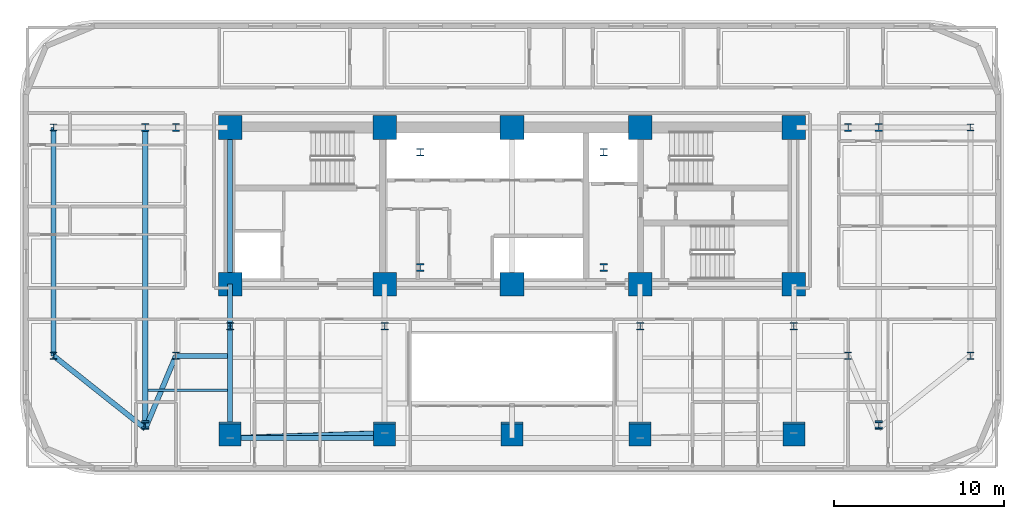
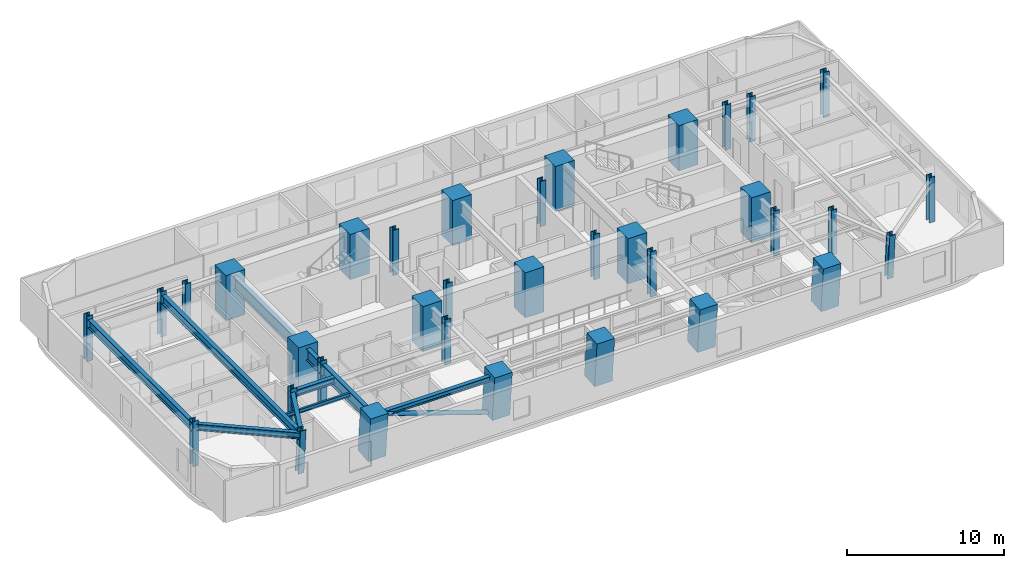
# One storey, part 1 of 16: 35 columns, 10 beams, 1 member.
"""IFC4 building model written with IfcOpenShell, lengths in metres."""

from ifc_helpers import new_model, si_unit, direction, frame, origin, origin_2d, place, context, subcontext, project, spatial, rectangle, hollow_circle, i_section, extrude, material, material_profile, profile_set, type_object, element, save


model = new_model("IFC4")

# Units and contexts
model_context = context("Model", 3, precision=1e-05, world=origin(), true_north=direction((0.0, 1.0)))
body_context = subcontext(model_context, "Body", "Model", "MODEL_VIEW")
ifc_project = project(units=[si_unit("LENGTHUNIT", "METRE"), si_unit("AREAUNIT", "SQUARE_METRE"), si_unit("VOLUMEUNIT", "CUBIC_METRE"), si_unit("PLANEANGLEUNIT", "RADIAN"), si_unit("MASSUNIT", "GRAM", prefix="KILO")], contexts=[model_context])

# Site, building, storey
site_placement = place(None, origin())
site = spatial("IfcSite", under=ifc_project, at=site_placement, CompositionType="ELEMENT")
building_placement = place(site_placement, origin())
building = spatial("IfcBuilding", under=site, at=building_placement, Name="Zarnavel Station Tower", CompositionType="ELEMENT")
storey_placement = place(building_placement, frame((0.0, 0.0, 79.300048828125)))
storey = spatial("IfcBuildingStorey", under=building, at=storey_placement, Name="L21", CompositionType="ELEMENT", Elevation=79.300048828125)

# Columns
ifc_material_1 = material(Name="Steel S460M", Category="steel")
ifc_material_profile_1 = material_profile(ifc_material_1, i_section(OverallWidth=0.41796875, OverallDepth=0.431884765625, WebThickness=0.034912109375, FlangeThickness=0.055908203125, FilletRadius=0.014892578125, at=origin_2d()), Name="HD400x421")
ifc_profile_set_1 = profile_set([ifc_material_profile_1], Name="Steel S460M")
column_type_1 = type_object("IfcColumnType", Name="EC_HD421", PredefinedType="COLUMN", material=ifc_profile_set_1)
for number, where, z_axis, x_axis, name in (
    (1, (1.800048828125, 23.60009765625, 0.0), (0.0, 0.0, 1.0), (1.0, 0.0, 0.0), "L21 Outer Wing South Column 1"),
    (2, (1.800048828125, 37.050048828125, 0.0), (0.0, 0.0, 1.0), (1.0, 0.0, 0.0), "L21 Outer Wing North Column 1"),
):
    element("IfcColumn", number, at=place(storey_placement, frame(where, z_axis=z_axis, x_axis=x_axis)), inside=storey, type_object=column_type_1, Name=name, PredefinedType="COLUMN", context=body_context, shape_type="SweptSolid", body=[
        extrude(i_section(OverallWidth=0.41796875, OverallDepth=0.431884765625, WebThickness=0.034912109375, FlangeThickness=0.055908203125, FilletRadius=0.014892578125, at=origin_2d()), origin(), (0.0, 0.0, 1.0), 3.5),
    ])
for number, where, z_axis, x_axis, name in (
    (3, (7.199951171875, 19.568603515625, 0.0), (0.0, -0.079891690793, 0.996803550226), (1.0, 0.0, 0.0), "L21 Raked Wing Column 2"),
    (4, (50.39990234375, 19.568603515625, 0.0), (0.0, -0.079891690793, 0.996803550226), (1.0, 0.0, 0.0), "L21 Raked Wing Column 3"),
):
    element("IfcColumn", number, at=place(storey_placement, frame(where, z_axis=z_axis, x_axis=x_axis)), inside=storey, type_object=column_type_1, Name=name, PredefinedType="COLUMN", context=body_context, shape_type="SweptSolid", body=[
        extrude(i_section(OverallWidth=0.41796875, OverallDepth=0.431884765625, WebThickness=0.034912109375, FlangeThickness=0.055908203125, FilletRadius=0.014892578125, at=origin_2d()), origin(), (0.0, 0.0, 1.0), 3.51123046875),
    ])
for number, where, z_axis, x_axis, name in (
    (5, (55.800048828125, 23.60009765625, 0.0), (0.0, 0.0, 1.0), (1.0, 0.0, 0.0), "L21 Outer Wing South Column 4"),
    (6, (55.800048828125, 37.050048828125, 0.0), (0.0, 0.0, 1.0), (1.0, 0.0, 0.0), "L21 Outer Wing North Column 4"),
):
    element("IfcColumn", number, at=place(storey_placement, frame(where, z_axis=z_axis, x_axis=x_axis)), inside=storey, type_object=column_type_1, Name=name, PredefinedType="COLUMN", context=body_context, shape_type="SweptSolid", body=[
        extrude(i_section(OverallWidth=0.41796875, OverallDepth=0.431884765625, WebThickness=0.034912109375, FlangeThickness=0.055908203125, FilletRadius=0.014892578125, at=origin_2d()), origin(), (0.0, 0.0, 1.0), 3.5),
    ])
ifc_material_2 = material(Name="Steel S460M", Category="steel")
ifc_material_profile_2 = material_profile(ifc_material_2, i_section(OverallWidth=0.424072265625, OverallDepth=0.449951171875, WebThickness=0.041015625, FlangeThickness=0.06494140625, FilletRadius=0.014892578125, at=origin_2d()), Name="HD400x509")
ifc_profile_set_2 = profile_set([ifc_material_profile_2], Name="Steel S460M")
column_type_2 = type_object("IfcColumnType", Name="IC_HD509", PredefinedType="COLUMN", material=ifc_profile_set_2)
for number, where, z_axis, x_axis, name in (
    (7, (23.39990234375, 28.800048828125, 0.0), (0.0, 0.0, 1.0), (1.0, 0.0, 0.0), "L21 Mast Spine Column 1"),
    (8, (34.199951171875, 28.800048828125, 0.0), (0.0, 0.0, 1.0), (1.0, 0.0, 0.0), "L21 Mast Spine Column 2"),
    (9, (34.199951171875, 35.60009765625, 0.0), (0.0, 0.0, 1.0), (1.0, 0.0, 0.0), "L21 Mast Spine Column 3"),
    (10, (23.39990234375, 35.60009765625, 0.0), (0.0, 0.0, 1.0), (1.0, 0.0, 0.0), "L21 Mast Spine Column 4"),
    (11, (12.199951171875, 25.35009765625, 0.0), (0.0, 0.0, 1.0), (1.0, 0.0, 0.0), "L21 Inner Spine Column 1"),
    (12, (21.300048828125, 25.35009765625, 0.0), (0.0, 0.0, 1.0), (1.0, 0.0, 0.0), "L21 Inner Spine Column 2"),
    (13, (36.35009765625, 25.35009765625, 0.0), (0.0, 0.0, 1.0), (1.0, 0.0, 0.0), "L21 Inner Spine Column 4"),
    (14, (45.39990234375, 25.35009765625, 0.0), (0.0, 0.0, 1.0), (1.0, 0.0, 0.0), "L21 Inner Spine Column 5"),
    (15, (9.0, 23.60009765625, 0.0), (0.0, 0.0, 1.0), (1.0, 0.0, 0.0), "L21 Inner Wing Spine Column 1-1"),
    (16, (9.0, 37.050048828125, 0.0), (0.0, 0.0, 1.0), (1.0, 0.0, 0.0), "L21 Inner Wing Spine Column 1-2"),
    (17, (48.60009765625, 23.60009765625, 0.0), (0.0, 0.0, 1.0), (1.0, 0.0, 0.0), "L21 Inner Wing Spine Column 2-1"),
    (18, (48.60009765625, 37.050048828125, 0.0), (0.0, 0.0, 1.0), (1.0, 0.0, 0.0), "L21 Inner Wing Spine Column 2-2"),
    (19, (7.199951171875, 37.050048828125, 0.0), (0.0, 0.0, 1.0), (1.0, 0.0, 0.0), "L21 Outer Wing North Column 2"),
    (20, (50.39990234375, 37.050048828125, 0.0), (0.0, 0.0, 1.0), (1.0, 0.0, 0.0), "L21 Outer Wing North Column 3"),
):
    element("IfcColumn", number, at=place(storey_placement, frame(where, z_axis=z_axis, x_axis=x_axis)), inside=storey, type_object=column_type_2, Name=name, PredefinedType="COLUMN", context=body_context, shape_type="SweptSolid", body=[
        extrude(i_section(OverallWidth=0.424072265625, OverallDepth=0.449951171875, WebThickness=0.041015625, FlangeThickness=0.06494140625, FilletRadius=0.014892578125, at=origin_2d()), origin(), (0.0, 0.0, 1.0), 3.5),
    ])
ifc_material_3 = material(Name="Concrete C60/75", Category="concrete")
ifc_material_profile_3 = material_profile(ifc_material_3, rectangle(XDim=1.39990234375, YDim=1.39990234375, at=origin_2d()), Name="RC1400x1400")
ifc_profile_set_3 = profile_set([ifc_material_profile_3], Name="Concrete C60/75")
column_type_3 = type_object("IfcColumnType", Name="IC_RC1400", PredefinedType="COLUMN", material=ifc_profile_set_3)
for number, where, z_axis, x_axis, name in (
    (21, (12.199951171875, 27.820068359375, 0.0), (0.0, 0.0, 1.0), (1.0, 0.0, 0.0), "L21 Core Spine Column 1-1"),
    (22, (12.199951171875, 37.050048828125, 0.0), (0.0, 0.0, 1.0), (1.0, 0.0, 0.0), "L21 Core Spine Column 1-2"),
    (23, (21.300048828125, 27.820068359375, 0.0), (0.0, 0.0, 1.0), (1.0, 0.0, 0.0), "L21 Core Spine Column 2-1"),
    (24, (21.300048828125, 37.050048828125, 0.0), (0.0, 0.0, 1.0), (1.0, 0.0, 0.0), "L21 Core Spine Column 2-2"),
    (25, (28.800048828125, 27.820068359375, 0.0), (0.0, 0.0, 1.0), (1.0, 0.0, 0.0), "L21 Core Spine Column 3-1"),
    (26, (28.800048828125, 37.050048828125, 0.0), (0.0, 0.0, 1.0), (1.0, 0.0, 0.0), "L21 Core Spine Column 3-2"),
    (27, (36.35009765625, 27.820068359375, 0.0), (0.0, 0.0, 1.0), (1.0, 0.0, 0.0), "L21 Core Spine Column 4-1"),
    (28, (36.35009765625, 37.050048828125, 0.0), (0.0, 0.0, 1.0), (1.0, 0.0, 0.0), "L21 Core Spine Column 4-2"),
    (29, (45.39990234375, 27.820068359375, 0.0), (0.0, 0.0, 1.0), (1.0, 0.0, 0.0), "L21 Core Spine Column 5-1"),
    (30, (45.39990234375, 37.050048828125, 0.0), (0.0, 0.0, 1.0), (1.0, 0.0, 0.0), "L21 Core Spine Column 5-2"),
):
    element("IfcColumn", number, at=place(storey_placement, frame(where, z_axis=z_axis, x_axis=x_axis)), inside=storey, type_object=column_type_3, Name=name, PredefinedType="COLUMN", context=body_context, shape_type="SweptSolid", body=[
        extrude(rectangle(XDim=1.39990234375, YDim=1.39990234375, at=origin_2d()), origin(), (0.0, 0.0, 1.0), 3.5),
    ])
ifc_material_4 = material(Name="Concrete C60/75", Category="concrete")
ifc_material_profile_4 = material_profile(ifc_material_4, rectangle(XDim=1.300048828125, YDim=1.300048828125, at=origin_2d()), Name="RC1300x1300")
ifc_profile_set_4 = profile_set([ifc_material_profile_4], Name="Concrete C60/75")
column_type_4 = type_object("IfcColumnType", Name="MC_RC1300", PredefinedType="COLUMN", material=ifc_profile_set_4)
for number, where, z_axis, x_axis, name in (
    (31, (12.199951171875, 19.041748046875, 0.0), (0.0, -0.090241349316, 0.995919925935), (1.0, 0.0, 0.0), "L21 Raked South Mega-Column 1"),
    (32, (21.300048828125, 19.041748046875, 0.0), (0.0, -0.090241349316, 0.995919925935), (1.0, 0.0, 0.0), "L21 Raked South Mega-Column 2"),
    (33, (28.800048828125, 19.041748046875, 0.0), (0.0, -0.090241349316, 0.995919925935), (1.0, 0.0, 0.0), "L21 Raked South Mega-Column 3"),
    (34, (36.35009765625, 19.041748046875, 0.0), (0.0, -0.090241349316, 0.995919925935), (1.0, 0.0, 0.0), "L21 Raked South Mega-Column 4"),
    (35, (45.39990234375, 19.041748046875, 0.0), (0.0, -0.090241349316, 0.995919925935), (1.0, 0.0, 0.0), "L21 Raked South Mega-Column 5"),
):
    element("IfcColumn", number, at=place(storey_placement, frame(where, z_axis=z_axis, x_axis=x_axis)), inside=storey, type_object=column_type_4, Name=name, PredefinedType="COLUMN", context=body_context, shape_type="SweptSolid", body=[
        extrude(rectangle(XDim=1.300048828125, YDim=1.300048828125, at=origin_2d()), origin(), (0.0, 0.0, 1.0), 3.514404296875),
    ])

# Member
ifc_material_5 = material(Name="Steel S355J2", Category="steel")
ifc_material_profile_5 = material_profile(ifc_material_5, hollow_circle(Radius=0.161865234375, WallThickness=0.012451171875, at=origin_2d()), Name="CHS323.9x12.5")
ifc_profile_set_5 = profile_set([ifc_material_profile_5], Name="Steel S355J2")
member_type = type_object("IfcMemberType", Name="DB_EXT_CHS324", PredefinedType="BRACE", material=ifc_profile_set_5)
member_placement = place(storey_placement, frame((21.300048828125, 19.041748046875, 0.0), z_axis=(-0.941636397979, -0.030365588624, 0.335259339958), x_axis=(0.032230925026, -0.999480448769, 0.0)))
element("IfcMember", 36, at=member_placement, inside=storey, type_object=member_type, Name="L21 Persian Exterior Diagonal Frame Brace 1", PredefinedType="BRACE", context=body_context, shape_type="SweptSolid", body=[
    extrude(hollow_circle(Radius=0.161865234375, WallThickness=0.012451171875, at=origin_2d()), origin(), (0.0, 0.0, 1.0), 9.6640625),
])

# Beams
ifc_material_6 = material(Name="Steel S355J2", Category="steel")
ifc_material_profile_6 = material_profile(ifc_material_6, i_section(OverallWidth=0.300048828125, OverallDepth=0.39990234375, WebThickness=0.013427734375, FlangeThickness=0.02392578125, FilletRadius=0.027099609375, at=origin_2d()), Name="HEB400")
ifc_profile_set_6 = profile_set([ifc_material_profile_6], Name="Steel S355J2")
beam_type_1 = type_object("IfcBeamType", Name="EB_HEB400", PredefinedType="SPANDREL", material=ifc_profile_set_6)
beam_1_placement = place(storey_placement, frame((12.199951171875, 18.748291015625, 3.0400390625), z_axis=(1.0, 0.0, 0.0), x_axis=(0.0, 1.0, 0.0)))
element("IfcBeam", 37, at=beam_1_placement, inside=storey, type_object=beam_type_1, Name="L21 South Raked Spandrel 1", PredefinedType="SPANDREL", context=body_context, shape_type="SweptSolid", body=[
    extrude(i_section(OverallWidth=0.300048828125, OverallDepth=0.39990234375, WebThickness=0.013427734375, FlangeThickness=0.02392578125, FilletRadius=0.027099609375, at=origin_2d()), origin(), (0.0, 0.0, 1.0), 9.10009765625),
])
ifc_material_7 = material(Name="Steel S355J2", Category="steel")
ifc_material_profile_7 = material_profile(ifc_material_7, i_section(OverallWidth=0.300048828125, OverallDepth=0.5, WebThickness=0.014404296875, FlangeThickness=0.028076171875, FilletRadius=0.027099609375, at=origin_2d()), Name="HEB500")
ifc_profile_set_7 = profile_set([ifc_material_profile_7], Name="Steel S355J2")
beam_type_2 = type_object("IfcBeamType", Name="FG_HEB500", PredefinedType="USERDEFINED", material=ifc_profile_set_7)
beam_2_placement = place(storey_placement, frame((1.800048828125, 23.60009765625, 2.989990234375), z_axis=(0.782891774764, -0.622157913239, 0.0), x_axis=(0.622157913239, 0.782891774764, 0.0)))
element("IfcBeam", 38, at=beam_2_placement, inside=storey, type_object=beam_type_2, Name="L21 West Wing South Tie 1", ObjectType="GIRDER", PredefinedType="USERDEFINED", context=body_context, shape_type="SweptSolid", body=[
    extrude(i_section(OverallWidth=0.300048828125, OverallDepth=0.5, WebThickness=0.014404296875, FlangeThickness=0.028076171875, FilletRadius=0.027099609375, at=origin_2d()), origin(), (0.0, 0.0, 1.0), 6.8974609375),
])
beam_3_placement = place(storey_placement, frame((7.199951171875, 19.308837890625, 2.989990234375), z_axis=(0.3868159094, 0.922156956399, 0.0), x_axis=(-0.922156956399, 0.3868159094, 0.0)))
element("IfcBeam", 39, at=beam_3_placement, inside=storey, type_object=beam_type_2, Name="L21 West Wing South Tie 2", ObjectType="GIRDER", PredefinedType="USERDEFINED", context=body_context, shape_type="SweptSolid", body=[
    extrude(i_section(OverallWidth=0.300048828125, OverallDepth=0.5, WebThickness=0.014404296875, FlangeThickness=0.028076171875, FilletRadius=0.027099609375, at=origin_2d()), origin(), (0.0, 0.0, 1.0), 4.653564453125),
])
beam_4_placement = place(storey_placement, frame((9.0, 23.60009765625, 2.989990234375), z_axis=(1.0, 0.0, 0.0), x_axis=(0.0, 1.0, 0.0)))
element("IfcBeam", 40, at=beam_4_placement, inside=storey, type_object=beam_type_2, Name="L21 West Wing South Tie 3", ObjectType="GIRDER", PredefinedType="USERDEFINED", context=body_context, shape_type="SweptSolid", body=[
    extrude(i_section(OverallWidth=0.300048828125, OverallDepth=0.5, WebThickness=0.014404296875, FlangeThickness=0.028076171875, FilletRadius=0.027099609375, at=origin_2d()), origin(), (0.0, 0.0, 1.0), 3.054931640625),
])
ifc_material_8 = material(Name="Steel S355J2", Category="steel")
ifc_material_profile_8 = material_profile(ifc_material_8, i_section(OverallWidth=0.300048828125, OverallDepth=0.64990234375, WebThickness=0.01611328125, FlangeThickness=0.031005859375, FilletRadius=0.027099609375, at=origin_2d()), Name="HEB650")
ifc_profile_set_8 = profile_set([ifc_material_profile_8], Name="Steel S355J2")
beam_type_3 = type_object("IfcBeamType", Name="FG_HEB650", PredefinedType="USERDEFINED", material=ifc_profile_set_8)
beam_5_placement = place(storey_placement, frame((1.800048828125, 23.60009765625, 2.9150390625), z_axis=(0.0, 1.0, 0.0), x_axis=(-1.0, 0.0, 0.0)))
element("IfcBeam", 41, at=beam_5_placement, inside=storey, type_object=beam_type_3, Name="L21 Wing NS Girder 1", ObjectType="GIRDER", PredefinedType="USERDEFINED", context=body_context, shape_type="SweptSolid", body=[
    extrude(i_section(OverallWidth=0.300048828125, OverallDepth=0.64990234375, WebThickness=0.01611328125, FlangeThickness=0.031005859375, FilletRadius=0.027099609375, at=origin_2d()), origin(), (0.0, 0.0, 1.0), 13.449951171875),
])
beam_6_placement = place(storey_placement, frame((7.199951171875, 19.308837890625, 2.9150390625), z_axis=(0.0, 1.0, 0.0), x_axis=(-1.0, 0.0, 0.0)))
element("IfcBeam", 42, at=beam_6_placement, inside=storey, type_object=beam_type_3, Name="L21 Wing NS Girder 2", ObjectType="GIRDER", PredefinedType="USERDEFINED", context=body_context, shape_type="SweptSolid", body=[
    extrude(i_section(OverallWidth=0.300048828125, OverallDepth=0.64990234375, WebThickness=0.01611328125, FlangeThickness=0.031005859375, FilletRadius=0.027099609375, at=origin_2d()), origin(), (0.0, 0.0, 1.0), 17.7412109375),
])
ifc_material_9 = material(Name="Steel S355J2", Category="steel")
ifc_material_profile_9 = material_profile(ifc_material_9, i_section(OverallWidth=0.14990234375, OverallDepth=0.300048828125, WebThickness=0.007080078125, FlangeThickness=0.0107421875, FilletRadius=0.014892578125, at=origin_2d()), Name="IPE300")
ifc_profile_set_9 = profile_set([ifc_material_profile_9], Name="Steel S355J2")
beam_type_4 = type_object("IfcBeamType", Name="FJ_IPE300", PredefinedType="JOIST", material=ifc_profile_set_9)
beam_7_placement = place(storey_placement, frame((7.344970703125, 21.5654296875, 3.08984375), z_axis=(1.0, 0.0, 0.0), x_axis=(0.0, 1.0, 0.0)))
element("IfcBeam", 43, at=beam_7_placement, inside=storey, type_object=beam_type_4, Name="L21 West Wing Joist 1", PredefinedType="JOIST", context=body_context, shape_type="SweptSolid", body=[
    extrude(i_section(OverallWidth=0.14990234375, OverallDepth=0.300048828125, WebThickness=0.007080078125, FlangeThickness=0.0107421875, FilletRadius=0.014892578125, at=origin_2d()), origin(), (0.0, 0.0, 1.0), 4.7099609375),
])
ifc_material_10 = material(Name="Steel S460M", Category="steel")
ifc_material_profile_10 = material_profile(ifc_material_10, i_section(OverallWidth=0.302001953125, OverallDepth=1.008056640625, WebThickness=0.02099609375, FlangeThickness=0.0400390625, FilletRadius=0.030029296875, at=origin_2d()), Name="HEM1000")
ifc_profile_set_10 = profile_set([ifc_material_profile_10], Name="Steel S460M")
beam_type_5 = type_object("IfcBeamType", Name="TG_HEM1000", PredefinedType="USERDEFINED", material=ifc_profile_set_10)
beam_8_placement = place(storey_placement, frame((12.199951171875, 27.820068359375, 2.73583984375), z_axis=(0.0, 1.0, 0.0), x_axis=(-1.0, 0.0, 0.0)))
element("IfcBeam", 44, at=beam_8_placement, inside=storey, type_object=beam_type_5, Name="L21 Core Spine Coupling Girder 1", ObjectType="GIRDER", PredefinedType="USERDEFINED", context=body_context, shape_type="SweptSolid", body=[
    extrude(i_section(OverallWidth=0.302001953125, OverallDepth=1.008056640625, WebThickness=0.02099609375, FlangeThickness=0.0400390625, FilletRadius=0.030029296875, at=origin_2d()), origin(), (0.0, 0.0, 1.0), 9.22998046875),
])
ifc_material_11 = material(Name="Steel S460M", Category="steel")
ifc_material_profile_11 = material_profile(ifc_material_11, i_section(OverallWidth=0.302001953125, OverallDepth=0.909912109375, WebThickness=0.02099609375, FlangeThickness=0.0400390625, FilletRadius=0.030029296875, at=origin_2d()), Name="HEM900")
ifc_profile_set_11 = profile_set([ifc_material_profile_11], Name="Steel S460M")
beam_type_6 = type_object("IfcBeamType", Name="TG_HEM900", PredefinedType="USERDEFINED", material=ifc_profile_set_11)
beam_9_placement = place(storey_placement, frame((12.199951171875, 18.748291015625, 2.784912109375), z_axis=(0.0, 1.0, 0.0), x_axis=(-1.0, 0.0, 0.0)))
element("IfcBeam", 45, at=beam_9_placement, inside=storey, type_object=beam_type_6, Name="L21 South-Zone NS Girder 1", ObjectType="GIRDER", PredefinedType="USERDEFINED", context=body_context, shape_type="SweptSolid", body=[
    extrude(i_section(OverallWidth=0.302001953125, OverallDepth=0.909912109375, WebThickness=0.02099609375, FlangeThickness=0.0400390625, FilletRadius=0.030029296875, at=origin_2d()), origin(), (0.0, 0.0, 1.0), 6.601806640625),
])
beam_10_placement = place(storey_placement, frame((12.199951171875, 25.35009765625, 2.784912109375), z_axis=(0.0, 1.0, 0.0), x_axis=(-1.0, 0.0, 0.0)))
element("IfcBeam", 46, at=beam_10_placement, inside=storey, type_object=beam_type_6, Name="L21 Inner-Zone NS Girder 1", ObjectType="GIRDER", PredefinedType="USERDEFINED", context=body_context, shape_type="SweptSolid", body=[
    extrude(i_section(OverallWidth=0.302001953125, OverallDepth=0.909912109375, WebThickness=0.02099609375, FlangeThickness=0.0400390625, FilletRadius=0.030029296875, at=origin_2d()), origin(), (0.0, 0.0, 1.0), 2.469970703125),
])

save(model, "model.ifc")
